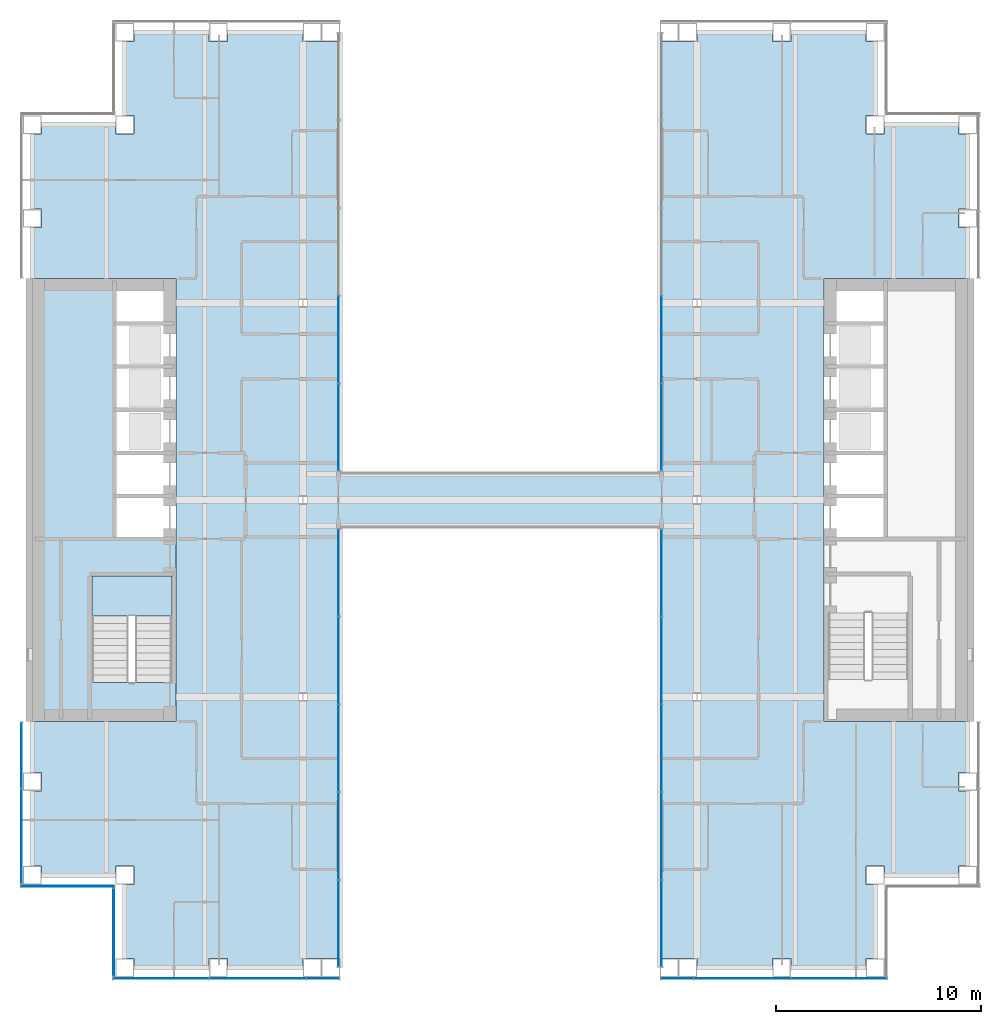
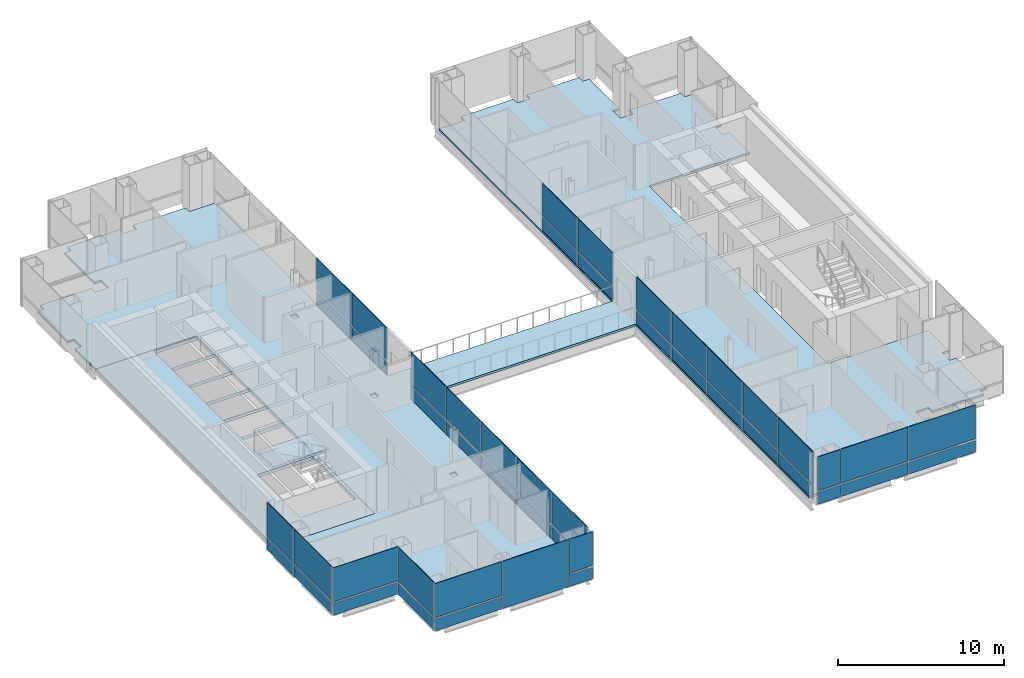
# One storey, part 9 of 16: 47 plates, 3 slabs, 10 elements without a shape of their own.
"""IFC4 building model written with IfcOpenShell, lengths in metres."""

import ifcopenshell
import ifcopenshell.guid

model = None  # the IFC model being written
_history = None  # IfcOwnerHistory: only IFC2X3 demands one
_inside = {}  # id of a spatial element -> (the spatial element, [elements in it])
_under = {}  # id of a project, library or spatial element -> (it, [spatial elements below it])
_declared = {}  # id of a project -> (the project, [libraries it declares])
_typed = {}  # id of a type object -> (the type object, [elements of that type])
_made_of = {}  # id of a material, layer set ... -> (it, [elements and type objects made of it])


def new_model(schema):
    """Start an empty IFC model of exactly this schema.

    Asked for "IFC4X3", IfcOpenShell would pick the latest addendum, in which some entities
    have other attributes; the version numbers below select the first issue.
    IFC2X3 requires an IfcOwnerHistory on every rooted entity: one is made here for all.
    """
    global model, _history
    if schema == "IFC4X3":
        model = ifcopenshell.file(schema_version=(4, 3, 0, 0))
    else:
        model = ifcopenshell.file(schema=schema)
    _inside.clear()
    _under.clear()
    _declared.clear()
    _typed.clear()
    _made_of.clear()
    _history = None
    if model.schema == "IFC2X3":
        org = make("IfcOrganization", Name="unknown")
        user = make(
            "IfcPersonAndOrganization",
            ThePerson=make("IfcPerson", FamilyName="unknown"),
            TheOrganization=org,
        )
        app = make(
            "IfcApplication",
            ApplicationDeveloper=org,
            Version="unknown",
            ApplicationFullName="unknown",
            ApplicationIdentifier="unknown",
        )
        _history = make(
            "IfcOwnerHistory",
            OwningUser=user,
            OwningApplication=app,
            ChangeAction="ADDED",
            CreationDate=0,
        )
    return model


def make(cls, **values):
    """One entity of the class cls with the attributes given. An attribute that is None is left unset."""
    return model.create_entity(
        cls, **{name: value for name, value in values.items() if value is not None}
    )


def rooted(cls, **values):
    """An entity with a GlobalId (a new one), such as an element, a storey or a relation."""
    return make(cls, GlobalId=ifcopenshell.guid.new(), OwnerHistory=_history, **values)


def si_unit(unit_type, name, prefix=None):
    """IfcSIUnit, for example si_unit("LENGTHUNIT", "METRE", prefix="MILLI")."""
    return make("IfcSIUnit", UnitType=unit_type, Prefix=prefix, Name=name)


def assignment(units):
    """IfcUnitAssignment: the units of a project."""
    return None if units is None else make("IfcUnitAssignment", Units=units)


def point(xyz):
    """IfcCartesianPoint."""
    return None if xyz is None else make("IfcCartesianPoint", Coordinates=xyz)


def direction(xyz):
    """IfcDirection."""
    return None if xyz is None else make("IfcDirection", DirectionRatios=xyz)


def frame(location, z_axis=None, x_axis=None):
    """IfcAxis2Placement3D, a coordinate frame: its origin and axes. An axis left out is left unset."""
    return make(
        "IfcAxis2Placement3D",
        Location=point(location),
        Axis=direction(z_axis),
        RefDirection=direction(x_axis),
    )


def frame_2d(location, x_axis=None):
    """IfcAxis2Placement2D, a coordinate frame in the plane: its origin and x axis."""
    return make(
        "IfcAxis2Placement2D", Location=point(location), RefDirection=direction(x_axis)
    )


def origin():
    """The frame at (0, 0, 0) with its axes left unset."""
    return frame((0.0, 0.0, 0.0))


def origin_2d():
    """The frame at (0, 0) in the plane with its x axis left unset."""
    return frame_2d((0.0, 0.0))


def place(relative_to, where):
    """IfcLocalPlacement: puts the frame where relative to a parent placement (None: the world)."""
    return make(
        "IfcLocalPlacement", PlacementRelTo=relative_to, RelativePlacement=where
    )


def context(
    kind, dimensions, precision=None, world=None, true_north=None, identifier=None
):
    """IfcGeometricRepresentationContext, for example the 3D "Model" context."""
    return make(
        "IfcGeometricRepresentationContext",
        ContextIdentifier=identifier,
        ContextType=kind,
        CoordinateSpaceDimension=dimensions,
        Precision=precision,
        WorldCoordinateSystem=world,
        TrueNorth=true_north,
    )


def subcontext(parent, identifier, kind, view, scale=None):
    """IfcGeometricRepresentationSubContext, for example "Body" below "Model"."""
    return make(
        "IfcGeometricRepresentationSubContext",
        ContextIdentifier=identifier,
        ContextType=kind,
        ParentContext=parent,
        TargetScale=scale,
        TargetView=view,
    )


def project(units=None, contexts=None):
    """IfcProject with its units and contexts."""
    return rooted(
        "IfcProject",
        Name="project",
        RepresentationContexts=contexts,
        UnitsInContext=assignment(units),
    )


def spatial(cls, under=None, at=None, **own):
    """A site, building, storey or space (cls), placed at a placement, below another one or the project."""
    s = rooted(cls, ObjectPlacement=at, **own)
    if under is not None:
        _under.setdefault(under.id(), (under, []))[1].append(s)
    return s


def polyline(points):
    """IfcPolyline through the points."""
    return make("IfcPolyline", Points=[point(p) for p in points])


def profile(cls, at=None, kind="AREA", **sizes):
    """A parametric profile (cls). Its sizes go by their IFC names, for example OverallWidth=200.0."""
    return make(cls, ProfileType=kind, Position=at, **sizes)


def rectangle(**sizes):
    """IfcRectangleProfileDef."""
    return profile("IfcRectangleProfileDef", **sizes)


def outline(outer, holes=None, kind="AREA"):
    """IfcArbitraryClosedProfileDef: a profile drawn as a closed curve; with holes, ...WithVoids."""
    if holes is None:
        return make("IfcArbitraryClosedProfileDef", ProfileType=kind, OuterCurve=outer)
    return make(
        "IfcArbitraryProfileDefWithVoids",
        ProfileType=kind,
        OuterCurve=outer,
        InnerCurves=holes,
    )


def extrude(swept, where, along, depth):
    """IfcExtrudedAreaSolid: the profile swept, set in the frame where, extruded along a direction by depth."""
    return make(
        "IfcExtrudedAreaSolid",
        SweptArea=swept,
        Position=where,
        ExtrudedDirection=direction(along),
        Depth=depth,
    )


def shape(context_of_items, identifier, shape_type, items):
    """IfcShapeRepresentation: the items that make up one representation, for example the "Body"."""
    return make(
        "IfcShapeRepresentation",
        ContextOfItems=context_of_items,
        RepresentationIdentifier=identifier,
        RepresentationType=shape_type,
        Items=items,
    )


def material(Name=None, Category=None):
    """IfcMaterial."""
    return make("IfcMaterial", Name=Name, Category=Category)


def layer(
    of_material, thickness, ventilated=None, Name=None, Category=None, Priority=None
):
    """IfcMaterialLayer: one layer of a wall or slab, of a material (None: an air gap)."""
    return make(
        "IfcMaterialLayer",
        Material=of_material,
        LayerThickness=thickness,
        IsVentilated=ventilated,
        Name=Name,
        Category=Category,
        Priority=Priority,
    )


def layer_set(layers, Name=None):
    """IfcMaterialLayerSet."""
    return make("IfcMaterialLayerSet", MaterialLayers=layers, LayerSetName=Name)


def made_of(thing, what):
    """Note that an element or type object is made of a material, layer set ...; save() writes the relation."""
    if what is not None:
        _made_of.setdefault(what.id(), (what, []))[1].append(thing)
    return thing


def type_object(cls, material=None, **own):
    """A type object (cls), such as IfcWallType, which elements share."""
    return made_of(rooted(cls, **own), material)


def element(
    cls,
    number,
    at=None,
    inside=None,
    cuts=None,
    type_object=None,
    material=None,
    context=None,
    identifier="Body",
    shape_type=None,
    held_by="IfcProductDefinitionShape",
    body=None,
    shapes=None,
    **own,
):
    """One element of the class cls, such as IfcWall. Its Tag is "e" and its number.

    at: its placement. inside: the storey or other place that contains it. cuts: it is an
    opening in that element (IfcRelVoidsElement). A single representation is given by context,
    identifier, shape_type and body (its items); several are given by shapes. held_by: the class
    of the entity that holds the representations. save() writes the other relations.
    """
    e = rooted(cls, Tag="e%d" % number, ObjectPlacement=at, **own)
    if body is not None:
        shapes = [shape(context, identifier, shape_type, body)]
    if shapes is not None:
        e.Representation = make(held_by, Representations=shapes)
    if inside is not None:
        _inside.setdefault(inside.id(), (inside, []))[1].append(e)
    if cuts is not None:
        rooted(
            "IfcRelVoidsElement", RelatingBuildingElement=cuts, RelatedOpeningElement=e
        )
    if type_object is not None:
        _typed.setdefault(type_object.id(), (type_object, []))[1].append(e)
    return made_of(e, material)


def aggregate(whole, parts):
    """IfcRelAggregates: a whole, such as a stair, and the parts it consists of."""
    return rooted("IfcRelAggregates", RelatingObject=whole, RelatedObjects=parts)


def save(model, path):
    """Write the relations noted so far, then the file.

    IfcRelAggregates (storeys below a building ...), IfcRelContainedInSpatialStructure (elements
    in a storey), IfcRelDefinesByType, IfcRelAssociatesMaterial and IfcRelDeclares: one each for
    every whole, place, type object, material and project.
    """
    for whole, parts in _under.values():
        aggregate(whole, parts)
    for where, things in _inside.values():
        rooted(
            "IfcRelContainedInSpatialStructure",
            RelatedElements=things,
            RelatingStructure=where,
        )
    for kind, things in _typed.values():
        rooted("IfcRelDefinesByType", RelatedObjects=things, RelatingType=kind)
    for what, things in _made_of.values():
        rooted("IfcRelAssociatesMaterial", RelatedObjects=things, RelatingMaterial=what)
    for by, libraries in _declared.values():
        rooted("IfcRelDeclares", RelatingContext=by, RelatedDefinitions=libraries)
    model.write(path)


model = new_model("IFC4")

# Units and contexts
model_context = context("Model", 3, precision=1e-05, world=origin(), true_north=direction((0.0, 1.0)))
body_context = subcontext(model_context, "Body", "Model", "MODEL_VIEW")
ifc_project = project(units=[si_unit("LENGTHUNIT", "METRE"), si_unit("AREAUNIT", "SQUARE_METRE"), si_unit("VOLUMEUNIT", "CUBIC_METRE"), si_unit("PLANEANGLEUNIT", "RADIAN"), si_unit("MASSUNIT", "GRAM", prefix="KILO")], contexts=[model_context])

# Site, building, storey
site_placement = place(None, origin())
site = spatial("IfcSite", under=ifc_project, at=site_placement, CompositionType="ELEMENT")
building_placement = place(site_placement, origin())
building = spatial("IfcBuilding", under=site, at=building_placement, Name="Cobrizo Arcos Hotel Tower", CompositionType="ELEMENT")
storey_placement = place(building_placement, frame((0.0, 0.0, 120.5)))
storey = spatial("IfcBuildingStorey", under=building, at=storey_placement, Name="L30", CompositionType="ELEMENT", Elevation=120.5)

# Curtain wall, plates
ifc_material_1 = material(Name="Aluminium 6063-T6 anodised bronze", Category="aluminium")
curtain_wall_type_1 = type_object("IfcCurtainWallType", Name="CW-A guest facade", PredefinedType="NOTDEFINED", material=ifc_material_1)
curtain_wall_1_placement = place(storey_placement, origin())
curtain_wall_1 = element("IfcCurtainWall", 1, at=curtain_wall_1_placement, inside=storey, type_object=curtain_wall_type_1, Name="CW-A L30 S face", PredefinedType="NOTDEFINED")
ifc_material_2 = material(Name="Glass clear laminated low-e", Category="glass")
ifc_layer_1 = layer(ifc_material_2, 0.0400390625)
ifc_layer_set_1 = layer_set([ifc_layer_1], Name="CW-A glass panel")
plate_type_1 = type_object("IfcPlateType", Name="CW-A glass panel", PredefinedType="CURTAIN_PANEL", material=ifc_layer_set_1)
plate_1_placement = place(storey_placement, frame((-16.5224609375, -23.324951171875, 0.990234375), z_axis=(0.0, 0.0, 1.0), x_axis=(1.0, 0.0, 0.0)))
plate_1 = element("IfcPlate", 2, at=plate_1_placement, type_object=plate_type_1, Name="CW-A glass panel 1135", PredefinedType="CURTAIN_PANEL", context=body_context, shape_type="SweptSolid", body=[
    extrude(rectangle(XDim=4.635009765625, YDim=0.0400390625, at=origin_2d()), origin(), (0.0, 0.0, 1.0), 2.510009765625),
])
plate_2_placement = place(storey_placement, frame((-8.639892578125, -23.324951171875, 0.990234375), z_axis=(0.0, 0.0, 1.0), x_axis=(1.0, 0.0, 0.0)))
plate_2 = element("IfcPlate", 3, at=plate_2_placement, type_object=plate_type_1, Name="CW-A glass panel 1137", PredefinedType="CURTAIN_PANEL", context=body_context, shape_type="SweptSolid", body=[
    extrude(rectangle(XDim=1.56005859375, YDim=0.0400390625, at=origin_2d()), origin(), (0.0, 0.0, 1.0), 2.510009765625),
])

curtain_wall_2_placement = place(storey_placement, origin())
curtain_wall_2 = element("IfcCurtainWall", 4, at=curtain_wall_2_placement, inside=storey, type_object=curtain_wall_type_1, Name="CW-A L30 S face", PredefinedType="NOTDEFINED")
plate_3_placement = place(storey_placement, frame((8.639892578125, -23.324951171875, 0.990234375), z_axis=(0.0, 0.0, 1.0), x_axis=(1.0, 0.0, 0.0)))
plate_3 = element("IfcPlate", 5, at=plate_3_placement, type_object=plate_type_1, Name="CW-A glass panel 1138", PredefinedType="CURTAIN_PANEL", context=body_context, shape_type="SweptSolid", body=[
    extrude(rectangle(XDim=1.56005859375, YDim=0.0400390625, at=origin_2d()), origin(), (0.0, 0.0, 1.0), 2.510009765625),
])
plate_4_placement = place(storey_placement, frame((11.8125, -23.324951171875, 0.990234375), z_axis=(0.0, 0.0, 1.0), x_axis=(1.0, 0.0, 0.0)))
plate_4 = element("IfcPlate", 6, at=plate_4_placement, type_object=plate_type_1, Name="CW-A glass panel 1139", PredefinedType="CURTAIN_PANEL", context=body_context, shape_type="SweptSolid", body=[
    extrude(rectangle(XDim=4.6650390625, YDim=0.0400390625, at=origin_2d()), origin(), (0.0, 0.0, 1.0), 2.510009765625),
])
plate_5_placement = place(storey_placement, frame((16.5224609375, -23.324951171875, 0.990234375), z_axis=(0.0, 0.0, 1.0), x_axis=(1.0, 0.0, 0.0)))
plate_5 = element("IfcPlate", 7, at=plate_5_placement, type_object=plate_type_1, Name="CW-A glass panel 1140", PredefinedType="CURTAIN_PANEL", context=body_context, shape_type="SweptSolid", body=[
    extrude(rectangle(XDim=4.635009765625, YDim=0.0400390625, at=origin_2d()), origin(), (0.0, 0.0, 1.0), 2.510009765625),
])

curtain_wall_3_placement = place(storey_placement, origin())
curtain_wall_3 = element("IfcCurtainWall", 8, at=curtain_wall_3_placement, inside=storey, type_object=curtain_wall_type_1, Name="CW-A L30 W face", PredefinedType="NOTDEFINED")
plate_6_placement = place(storey_placement, frame((-23.324951171875, -12.4462890625, 0.990234375), z_axis=(0.0, 0.0, 1.0), x_axis=(0.0, -1.0, 0.0)))
plate_6 = element("IfcPlate", 9, at=plate_6_placement, type_object=plate_type_1, Name="CW-A glass panel 1159", PredefinedType="CURTAIN_PANEL", context=body_context, shape_type="SweptSolid", body=[
    extrude(rectangle(XDim=3.172607421875, YDim=0.0400390625, at=origin_2d()), origin(), (0.0, 0.0, 1.0), 2.510009765625),
])
plate_7_placement = place(storey_placement, frame((-23.324951171875, -16.391357421875, 0.990234375), z_axis=(0.0, 0.0, 1.0), x_axis=(0.0, -1.0, 0.0)))
plate_7 = element("IfcPlate", 10, at=plate_7_placement, type_object=plate_type_1, Name="CW-A glass panel 1160", PredefinedType="CURTAIN_PANEL", context=body_context, shape_type="SweptSolid", body=[
    extrude(rectangle(XDim=4.597412109375, YDim=0.0400390625, at=origin_2d()), origin(), (0.0, 0.0, 1.0), 2.510009765625),
])

# Curtain wall, plate
curtain_wall_4_placement = place(storey_placement, origin())
curtain_wall_4 = element("IfcCurtainWall", 11, at=curtain_wall_4_placement, inside=storey, type_object=curtain_wall_type_1, Name="CW-A L30 S face", PredefinedType="NOTDEFINED")
plate_8_placement = place(storey_placement, frame((-21.074951171875, -18.824951171875, 0.990234375), z_axis=(0.0, 0.0, 1.0), x_axis=(1.0, 0.0, 0.0)))
plate_8 = element("IfcPlate", 12, at=plate_8_placement, type_object=plate_type_1, Name="CW-A glass panel 1161", PredefinedType="CURTAIN_PANEL", context=body_context, shape_type="SweptSolid", body=[
    extrude(rectangle(XDim=4.530029296875, YDim=0.0400390625, at=origin_2d()), origin(), (0.0, 0.0, 1.0), 2.510009765625),
])

curtain_wall_5_placement = place(storey_placement, origin())
curtain_wall_5 = element("IfcCurtainWall", 13, at=curtain_wall_5_placement, inside=storey, type_object=curtain_wall_type_1, Name="CW-A L30 W face", PredefinedType="NOTDEFINED")
plate_9_placement = place(storey_placement, frame((-18.824951171875, -21.074951171875, 0.990234375), z_axis=(0.0, 0.0, 1.0), x_axis=(0.0, -1.0, 0.0)))
plate_9 = element("IfcPlate", 14, at=plate_9_placement, type_object=plate_type_1, Name="CW-A glass panel 1162", PredefinedType="CURTAIN_PANEL", context=body_context, shape_type="SweptSolid", body=[
    extrude(rectangle(XDim=4.22998046875, YDim=0.0400390625, at=origin_2d()), origin(), (0.0, 0.0, 1.0), 2.510009765625),
])

# Plate
ifc_material_3 = material(Name="Aluminium composite panel pale metal", Category="aluminium")
ifc_layer_2 = layer(ifc_material_3, 0.0400390625)
ifc_layer_set_2 = layer_set([ifc_layer_2], Name="CW-A spandrel panel")
plate_type_2 = type_object("IfcPlateType", Name="CW-A spandrel panel", PredefinedType="CURTAIN_PANEL", material=ifc_layer_set_2)
plate_10_placement = place(storey_placement, frame((-16.5224609375, -23.324951171875, 0.0), z_axis=(0.0, 0.0, 1.0), x_axis=(1.0, 0.0, 0.0)))
plate_10 = element("IfcPlate", 15, at=plate_10_placement, type_object=plate_type_2, Name="CW-A spandrel panel 1135", PredefinedType="CURTAIN_PANEL", context=body_context, shape_type="SweptSolid", body=[
    extrude(rectangle(XDim=4.635009765625, YDim=0.0400390625, at=origin_2d()), origin(), (0.0, 0.0, 1.0), 0.8701171875),
])

plate_11_placement = place(storey_placement, frame((-11.8125, -23.324951171875, 0.0), z_axis=(0.0, 0.0, 1.0), x_axis=(1.0, 0.0, 0.0)))
plate_11 = element("IfcPlate", 16, at=plate_11_placement, type_object=plate_type_2, Name="CW-A spandrel panel 1136", PredefinedType="CURTAIN_PANEL", context=body_context, shape_type="SweptSolid", body=[
    extrude(rectangle(XDim=4.6650390625, YDim=0.0400390625, at=origin_2d()), origin(), (0.0, 0.0, 1.0), 3.5),
])

plate_12_placement = place(storey_placement, frame((-8.639892578125, -23.324951171875, 0.0), z_axis=(0.0, 0.0, 1.0), x_axis=(1.0, 0.0, 0.0)))
plate_12 = element("IfcPlate", 17, at=plate_12_placement, type_object=plate_type_2, Name="CW-A spandrel panel 1137", PredefinedType="CURTAIN_PANEL", context=body_context, shape_type="SweptSolid", body=[
    extrude(rectangle(XDim=1.56005859375, YDim=0.0400390625, at=origin_2d()), origin(), (0.0, 0.0, 1.0), 0.8701171875),
])

aggregate(curtain_wall_1, [plate_10, plate_1, plate_11, plate_12, plate_2])

plate_13_placement = place(storey_placement, frame((8.639892578125, -23.324951171875, 0.0), z_axis=(0.0, 0.0, 1.0), x_axis=(1.0, 0.0, 0.0)))
plate_13 = element("IfcPlate", 18, at=plate_13_placement, type_object=plate_type_2, Name="CW-A spandrel panel 1138", PredefinedType="CURTAIN_PANEL", context=body_context, shape_type="SweptSolid", body=[
    extrude(rectangle(XDim=1.56005859375, YDim=0.0400390625, at=origin_2d()), origin(), (0.0, 0.0, 1.0), 0.8701171875),
])

plate_14_placement = place(storey_placement, frame((11.8125, -23.324951171875, 0.0), z_axis=(0.0, 0.0, 1.0), x_axis=(1.0, 0.0, 0.0)))
plate_14 = element("IfcPlate", 19, at=plate_14_placement, type_object=plate_type_2, Name="CW-A spandrel panel 1139", PredefinedType="CURTAIN_PANEL", context=body_context, shape_type="SweptSolid", body=[
    extrude(rectangle(XDim=4.6650390625, YDim=0.0400390625, at=origin_2d()), origin(), (0.0, 0.0, 1.0), 0.8701171875),
])

plate_15_placement = place(storey_placement, frame((16.5224609375, -23.324951171875, 0.0), z_axis=(0.0, 0.0, 1.0), x_axis=(1.0, 0.0, 0.0)))
plate_15 = element("IfcPlate", 20, at=plate_15_placement, type_object=plate_type_2, Name="CW-A spandrel panel 1140", PredefinedType="CURTAIN_PANEL", context=body_context, shape_type="SweptSolid", body=[
    extrude(rectangle(XDim=4.635009765625, YDim=0.0400390625, at=origin_2d()), origin(), (0.0, 0.0, 1.0), 0.8701171875),
])

aggregate(curtain_wall_2, [plate_13, plate_3, plate_14, plate_4, plate_15, plate_5])

plate_16_placement = place(storey_placement, frame((-23.324951171875, -12.4462890625, 0.0), z_axis=(0.0, 0.0, 1.0), x_axis=(0.0, -1.0, 0.0)))
plate_16 = element("IfcPlate", 21, at=plate_16_placement, type_object=plate_type_2, Name="CW-A spandrel panel 1159", PredefinedType="CURTAIN_PANEL", context=body_context, shape_type="SweptSolid", body=[
    extrude(rectangle(XDim=3.172607421875, YDim=0.0400390625, at=origin_2d()), origin(), (0.0, 0.0, 1.0), 0.8701171875),
])

plate_17_placement = place(storey_placement, frame((-23.324951171875, -16.391357421875, 0.0), z_axis=(0.0, 0.0, 1.0), x_axis=(0.0, -1.0, 0.0)))
plate_17 = element("IfcPlate", 22, at=plate_17_placement, type_object=plate_type_2, Name="CW-A spandrel panel 1160", PredefinedType="CURTAIN_PANEL", context=body_context, shape_type="SweptSolid", body=[
    extrude(rectangle(XDim=4.597412109375, YDim=0.0400390625, at=origin_2d()), origin(), (0.0, 0.0, 1.0), 0.8701171875),
])

aggregate(curtain_wall_3, [plate_16, plate_6, plate_17, plate_7])

plate_18_placement = place(storey_placement, frame((-21.074951171875, -18.824951171875, 0.0), z_axis=(0.0, 0.0, 1.0), x_axis=(1.0, 0.0, 0.0)))
plate_18 = element("IfcPlate", 23, at=plate_18_placement, type_object=plate_type_2, Name="CW-A spandrel panel 1161", PredefinedType="CURTAIN_PANEL", context=body_context, shape_type="SweptSolid", body=[
    extrude(rectangle(XDim=4.530029296875, YDim=0.0400390625, at=origin_2d()), origin(), (0.0, 0.0, 1.0), 0.8701171875),
])

aggregate(curtain_wall_4, [plate_18, plate_8])

plate_19_placement = place(storey_placement, frame((-18.824951171875, -21.074951171875, 0.0), z_axis=(0.0, 0.0, 1.0), x_axis=(0.0, -1.0, 0.0)))
plate_19 = element("IfcPlate", 24, at=plate_19_placement, type_object=plate_type_2, Name="CW-A spandrel panel 1162", PredefinedType="CURTAIN_PANEL", context=body_context, shape_type="SweptSolid", body=[
    extrude(rectangle(XDim=4.22998046875, YDim=0.0400390625, at=origin_2d()), origin(), (0.0, 0.0, 1.0), 0.8701171875),
])

aggregate(curtain_wall_5, [plate_19, plate_9])

# Curtain wall, plates
curtain_wall_type_2 = type_object("IfcCurtainWallType", Name="CW-F void screen", PredefinedType="NOTDEFINED", material=ifc_material_1)
curtain_wall_6_placement = place(storey_placement, origin())
curtain_wall_6 = element("IfcCurtainWall", 25, at=curtain_wall_6_placement, inside=storey, type_object=curtain_wall_type_2, Name="CW-F L30 void screen B", PredefinedType="NOTDEFINED")
ifc_layer_3 = layer(ifc_material_2, 0.0400390625)
ifc_layer_set_3 = layer_set([ifc_layer_3], Name="CW-F glass panel")
plate_type_3 = type_object("IfcPlateType", Name="CW-F glass panel", PredefinedType="CURTAIN_PANEL", material=ifc_layer_set_3)
plate_20_placement = place(storey_placement, frame((7.875, -20.64501953125, 0.0), z_axis=(0.0, 0.0, 1.0), x_axis=(0.0, 1.0, 0.0)))
plate_20 = element("IfcPlate", 26, at=plate_20_placement, type_object=plate_type_3, Name="CW-F glass panel 2586", PredefinedType="CURTAIN_PANEL", context=body_context, shape_type="SweptSolid", body=[
    extrude(rectangle(XDim=4.18994140625, YDim=0.0400390625, at=origin_2d()), origin(), (0.0, 0.0, 1.0), 0.989990234375),
])
plate_21_placement = place(storey_placement, frame((7.875, -20.64501953125, 1.10986328125), z_axis=(0.0, 0.0, 1.0), x_axis=(0.0, 1.0, 0.0)))
plate_21 = element("IfcPlate", 27, at=plate_21_placement, type_object=plate_type_3, Name="CW-F glass panel 2586", PredefinedType="CURTAIN_PANEL", context=body_context, shape_type="SweptSolid", body=[
    extrude(rectangle(XDim=4.18994140625, YDim=0.0400390625, at=origin_2d()), origin(), (0.0, 0.0, 1.0), 2.389892578125),
])
plate_22_placement = place(storey_placement, frame((7.875, -16.3798828125, 0.0), z_axis=(0.0, 0.0, 1.0), x_axis=(0.0, 1.0, 0.0)))
plate_22 = element("IfcPlate", 28, at=plate_22_placement, type_object=plate_type_3, Name="CW-F glass panel 2587", PredefinedType="CURTAIN_PANEL", context=body_context, shape_type="SweptSolid", body=[
    extrude(rectangle(XDim=4.219970703125, YDim=0.0400390625, at=origin_2d()), origin(), (0.0, 0.0, 1.0), 0.989990234375),
])
plate_23_placement = place(storey_placement, frame((7.875, -16.3798828125, 1.10986328125), z_axis=(0.0, 0.0, 1.0), x_axis=(0.0, 1.0, 0.0)))
plate_23 = element("IfcPlate", 29, at=plate_23_placement, type_object=plate_type_3, Name="CW-F glass panel 2587", PredefinedType="CURTAIN_PANEL", context=body_context, shape_type="SweptSolid", body=[
    extrude(rectangle(XDim=4.219970703125, YDim=0.0400390625, at=origin_2d()), origin(), (0.0, 0.0, 1.0), 2.389892578125),
])
plate_24_placement = place(storey_placement, frame((7.875, -12.10009765625, 0.0), z_axis=(0.0, 0.0, 1.0), x_axis=(0.0, 1.0, 0.0)))
plate_24 = element("IfcPlate", 30, at=plate_24_placement, type_object=plate_type_3, Name="CW-F glass panel 2588", PredefinedType="CURTAIN_PANEL", context=body_context, shape_type="SweptSolid", body=[
    extrude(rectangle(XDim=4.219970703125, YDim=0.0400390625, at=origin_2d()), origin(), (0.0, 0.0, 1.0), 0.989990234375),
])
plate_25_placement = place(storey_placement, frame((7.875, -12.10009765625, 1.10986328125), z_axis=(0.0, 0.0, 1.0), x_axis=(0.0, 1.0, 0.0)))
plate_25 = element("IfcPlate", 31, at=plate_25_placement, type_object=plate_type_3, Name="CW-F glass panel 2588", PredefinedType="CURTAIN_PANEL", context=body_context, shape_type="SweptSolid", body=[
    extrude(rectangle(XDim=4.219970703125, YDim=0.0400390625, at=origin_2d()), origin(), (0.0, 0.0, 1.0), 2.389892578125),
])
plate_26_placement = place(storey_placement, frame((7.875, -7.820068359375, 0.0), z_axis=(0.0, 0.0, 1.0), x_axis=(0.0, 1.0, 0.0)))
plate_26 = element("IfcPlate", 32, at=plate_26_placement, type_object=plate_type_3, Name="CW-F glass panel 2589", PredefinedType="CURTAIN_PANEL", context=body_context, shape_type="SweptSolid", body=[
    extrude(rectangle(XDim=4.219970703125, YDim=0.0400390625, at=origin_2d()), origin(), (0.0, 0.0, 1.0), 0.989990234375),
])
plate_27_placement = place(storey_placement, frame((7.875, -7.820068359375, 1.10986328125), z_axis=(0.0, 0.0, 1.0), x_axis=(0.0, 1.0, 0.0)))
plate_27 = element("IfcPlate", 33, at=plate_27_placement, type_object=plate_type_3, Name="CW-F glass panel 2589", PredefinedType="CURTAIN_PANEL", context=body_context, shape_type="SweptSolid", body=[
    extrude(rectangle(XDim=4.219970703125, YDim=0.0400390625, at=origin_2d()), origin(), (0.0, 0.0, 1.0), 2.389892578125),
])
plate_28_placement = place(storey_placement, frame((7.875, -3.554931640625, 0.0), z_axis=(0.0, 0.0, 1.0), x_axis=(0.0, 1.0, 0.0)))
plate_28 = element("IfcPlate", 34, at=plate_28_placement, type_object=plate_type_3, Name="CW-F glass panel 2590", PredefinedType="CURTAIN_PANEL", context=body_context, shape_type="SweptSolid", body=[
    extrude(rectangle(XDim=4.18994140625, YDim=0.0400390625, at=origin_2d()), origin(), (0.0, 0.0, 1.0), 0.989990234375),
])
plate_29_placement = place(storey_placement, frame((7.875, -3.554931640625, 1.10986328125), z_axis=(0.0, 0.0, 1.0), x_axis=(0.0, 1.0, 0.0)))
plate_29 = element("IfcPlate", 35, at=plate_29_placement, type_object=plate_type_3, Name="CW-F glass panel 2590", PredefinedType="CURTAIN_PANEL", context=body_context, shape_type="SweptSolid", body=[
    extrude(rectangle(XDim=4.18994140625, YDim=0.0400390625, at=origin_2d()), origin(), (0.0, 0.0, 1.0), 2.389892578125),
])
aggregate(curtain_wall_6, [plate_20, plate_21, plate_22, plate_23, plate_24, plate_25, plate_26, plate_27, plate_28, plate_29])

curtain_wall_7_placement = place(storey_placement, origin())
curtain_wall_7 = element("IfcCurtainWall", 36, at=curtain_wall_7_placement, inside=storey, type_object=curtain_wall_type_2, Name="CW-F L30 void screen B", PredefinedType="NOTDEFINED")
plate_30_placement = place(storey_placement, frame((7.875, 3.554931640625, 0.0), z_axis=(0.0, 0.0, 1.0), x_axis=(0.0, 1.0, 0.0)))
plate_30 = element("IfcPlate", 37, at=plate_30_placement, type_object=plate_type_3, Name="CW-F glass panel 2591", PredefinedType="CURTAIN_PANEL", context=body_context, shape_type="SweptSolid", body=[
    extrude(rectangle(XDim=4.18994140625, YDim=0.0400390625, at=origin_2d()), origin(), (0.0, 0.0, 1.0), 0.989990234375),
])
plate_31_placement = place(storey_placement, frame((7.875, 3.554931640625, 1.10986328125), z_axis=(0.0, 0.0, 1.0), x_axis=(0.0, 1.0, 0.0)))
plate_31 = element("IfcPlate", 38, at=plate_31_placement, type_object=plate_type_3, Name="CW-F glass panel 2591", PredefinedType="CURTAIN_PANEL", context=body_context, shape_type="SweptSolid", body=[
    extrude(rectangle(XDim=4.18994140625, YDim=0.0400390625, at=origin_2d()), origin(), (0.0, 0.0, 1.0), 2.389892578125),
])
plate_32_placement = place(storey_placement, frame((7.875, 7.820068359375, 0.0), z_axis=(0.0, 0.0, 1.0), x_axis=(0.0, 1.0, 0.0)))
plate_32 = element("IfcPlate", 39, at=plate_32_placement, type_object=plate_type_3, Name="CW-F glass panel 2592", PredefinedType="CURTAIN_PANEL", context=body_context, shape_type="SweptSolid", body=[
    extrude(rectangle(XDim=4.219970703125, YDim=0.0400390625, at=origin_2d()), origin(), (0.0, 0.0, 1.0), 0.989990234375),
])
plate_33_placement = place(storey_placement, frame((7.875, 7.820068359375, 1.10986328125), z_axis=(0.0, 0.0, 1.0), x_axis=(0.0, 1.0, 0.0)))
plate_33 = element("IfcPlate", 40, at=plate_33_placement, type_object=plate_type_3, Name="CW-F glass panel 2592", PredefinedType="CURTAIN_PANEL", context=body_context, shape_type="SweptSolid", body=[
    extrude(rectangle(XDim=4.219970703125, YDim=0.0400390625, at=origin_2d()), origin(), (0.0, 0.0, 1.0), 2.389892578125),
])
aggregate(curtain_wall_7, [plate_30, plate_31, plate_32, plate_33])

curtain_wall_8_placement = place(storey_placement, origin())
curtain_wall_8 = element("IfcCurtainWall", 41, at=curtain_wall_8_placement, inside=storey, type_object=curtain_wall_type_2, Name="CW-F L30 void screen B", PredefinedType="NOTDEFINED")
plate_34_placement = place(storey_placement, frame((-7.875, 7.820068359375, 0.0), z_axis=(0.0, 0.0, 1.0), x_axis=(0.0, -1.0, 0.0)))
plate_34 = element("IfcPlate", 42, at=plate_34_placement, type_object=plate_type_3, Name="CW-F glass panel 2599", PredefinedType="CURTAIN_PANEL", context=body_context, shape_type="SweptSolid", body=[
    extrude(rectangle(XDim=4.219970703125, YDim=0.0400390625, at=origin_2d()), origin(), (0.0, 0.0, 1.0), 0.989990234375),
])
plate_35_placement = place(storey_placement, frame((-7.875, 7.820068359375, 1.10986328125), z_axis=(0.0, 0.0, 1.0), x_axis=(0.0, -1.0, 0.0)))
plate_35 = element("IfcPlate", 43, at=plate_35_placement, type_object=plate_type_3, Name="CW-F glass panel 2599", PredefinedType="CURTAIN_PANEL", context=body_context, shape_type="SweptSolid", body=[
    extrude(rectangle(XDim=4.219970703125, YDim=0.0400390625, at=origin_2d()), origin(), (0.0, 0.0, 1.0), 2.389892578125),
])
plate_36_placement = place(storey_placement, frame((-7.875, 3.554931640625, 0.0), z_axis=(0.0, 0.0, 1.0), x_axis=(0.0, -1.0, 0.0)))
plate_36 = element("IfcPlate", 44, at=plate_36_placement, type_object=plate_type_3, Name="CW-F glass panel 2600", PredefinedType="CURTAIN_PANEL", context=body_context, shape_type="SweptSolid", body=[
    extrude(rectangle(XDim=4.18994140625, YDim=0.0400390625, at=origin_2d()), origin(), (0.0, 0.0, 1.0), 0.989990234375),
])
plate_37_placement = place(storey_placement, frame((-7.875, 3.554931640625, 1.10986328125), z_axis=(0.0, 0.0, 1.0), x_axis=(0.0, -1.0, 0.0)))
plate_37 = element("IfcPlate", 45, at=plate_37_placement, type_object=plate_type_3, Name="CW-F glass panel 2600", PredefinedType="CURTAIN_PANEL", context=body_context, shape_type="SweptSolid", body=[
    extrude(rectangle(XDim=4.18994140625, YDim=0.0400390625, at=origin_2d()), origin(), (0.0, 0.0, 1.0), 2.389892578125),
])
aggregate(curtain_wall_8, [plate_34, plate_35, plate_36, plate_37])

curtain_wall_9_placement = place(storey_placement, origin())
curtain_wall_9 = element("IfcCurtainWall", 46, at=curtain_wall_9_placement, inside=storey, type_object=curtain_wall_type_2, Name="CW-F L30 void screen B", PredefinedType="NOTDEFINED")
plate_38_placement = place(storey_placement, frame((-7.875, -3.554931640625, 0.0), z_axis=(0.0, 0.0, 1.0), x_axis=(0.0, -1.0, 0.0)))
plate_38 = element("IfcPlate", 47, at=plate_38_placement, type_object=plate_type_3, Name="CW-F glass panel 2601", PredefinedType="CURTAIN_PANEL", context=body_context, shape_type="SweptSolid", body=[
    extrude(rectangle(XDim=4.18994140625, YDim=0.0400390625, at=origin_2d()), origin(), (0.0, 0.0, 1.0), 0.989990234375),
])
plate_39_placement = place(storey_placement, frame((-7.875, -3.554931640625, 1.10986328125), z_axis=(0.0, 0.0, 1.0), x_axis=(0.0, -1.0, 0.0)))
plate_39 = element("IfcPlate", 48, at=plate_39_placement, type_object=plate_type_3, Name="CW-F glass panel 2601", PredefinedType="CURTAIN_PANEL", context=body_context, shape_type="SweptSolid", body=[
    extrude(rectangle(XDim=4.18994140625, YDim=0.0400390625, at=origin_2d()), origin(), (0.0, 0.0, 1.0), 2.389892578125),
])
plate_40_placement = place(storey_placement, frame((-7.875, -7.820068359375, 0.0), z_axis=(0.0, 0.0, 1.0), x_axis=(0.0, -1.0, 0.0)))
plate_40 = element("IfcPlate", 49, at=plate_40_placement, type_object=plate_type_3, Name="CW-F glass panel 2602", PredefinedType="CURTAIN_PANEL", context=body_context, shape_type="SweptSolid", body=[
    extrude(rectangle(XDim=4.219970703125, YDim=0.0400390625, at=origin_2d()), origin(), (0.0, 0.0, 1.0), 0.989990234375),
])
plate_41_placement = place(storey_placement, frame((-7.875, -7.820068359375, 1.10986328125), z_axis=(0.0, 0.0, 1.0), x_axis=(0.0, -1.0, 0.0)))
plate_41 = element("IfcPlate", 50, at=plate_41_placement, type_object=plate_type_3, Name="CW-F glass panel 2602", PredefinedType="CURTAIN_PANEL", context=body_context, shape_type="SweptSolid", body=[
    extrude(rectangle(XDim=4.219970703125, YDim=0.0400390625, at=origin_2d()), origin(), (0.0, 0.0, 1.0), 2.389892578125),
])
plate_42_placement = place(storey_placement, frame((-7.875, -12.10009765625, 0.0), z_axis=(0.0, 0.0, 1.0), x_axis=(0.0, -1.0, 0.0)))
plate_42 = element("IfcPlate", 51, at=plate_42_placement, type_object=plate_type_3, Name="CW-F glass panel 2603", PredefinedType="CURTAIN_PANEL", context=body_context, shape_type="SweptSolid", body=[
    extrude(rectangle(XDim=4.219970703125, YDim=0.0400390625, at=origin_2d()), origin(), (0.0, 0.0, 1.0), 0.989990234375),
])
plate_43_placement = place(storey_placement, frame((-7.875, -12.10009765625, 1.10986328125), z_axis=(0.0, 0.0, 1.0), x_axis=(0.0, -1.0, 0.0)))
plate_43 = element("IfcPlate", 52, at=plate_43_placement, type_object=plate_type_3, Name="CW-F glass panel 2603", PredefinedType="CURTAIN_PANEL", context=body_context, shape_type="SweptSolid", body=[
    extrude(rectangle(XDim=4.219970703125, YDim=0.0400390625, at=origin_2d()), origin(), (0.0, 0.0, 1.0), 2.389892578125),
])
plate_44_placement = place(storey_placement, frame((-7.875, -16.3798828125, 0.0), z_axis=(0.0, 0.0, 1.0), x_axis=(0.0, -1.0, 0.0)))
plate_44 = element("IfcPlate", 53, at=plate_44_placement, type_object=plate_type_3, Name="CW-F glass panel 2604", PredefinedType="CURTAIN_PANEL", context=body_context, shape_type="SweptSolid", body=[
    extrude(rectangle(XDim=4.219970703125, YDim=0.0400390625, at=origin_2d()), origin(), (0.0, 0.0, 1.0), 0.989990234375),
])
plate_45_placement = place(storey_placement, frame((-7.875, -16.3798828125, 1.10986328125), z_axis=(0.0, 0.0, 1.0), x_axis=(0.0, -1.0, 0.0)))
plate_45 = element("IfcPlate", 54, at=plate_45_placement, type_object=plate_type_3, Name="CW-F glass panel 2604", PredefinedType="CURTAIN_PANEL", context=body_context, shape_type="SweptSolid", body=[
    extrude(rectangle(XDim=4.219970703125, YDim=0.0400390625, at=origin_2d()), origin(), (0.0, 0.0, 1.0), 2.389892578125),
])
plate_46_placement = place(storey_placement, frame((-7.875, -20.64501953125, 0.0), z_axis=(0.0, 0.0, 1.0), x_axis=(0.0, -1.0, 0.0)))
plate_46 = element("IfcPlate", 55, at=plate_46_placement, type_object=plate_type_3, Name="CW-F glass panel 2605", PredefinedType="CURTAIN_PANEL", context=body_context, shape_type="SweptSolid", body=[
    extrude(rectangle(XDim=4.18994140625, YDim=0.0400390625, at=origin_2d()), origin(), (0.0, 0.0, 1.0), 0.989990234375),
])
plate_47_placement = place(storey_placement, frame((-7.875, -20.64501953125, 1.10986328125), z_axis=(0.0, 0.0, 1.0), x_axis=(0.0, -1.0, 0.0)))
plate_47 = element("IfcPlate", 56, at=plate_47_placement, type_object=plate_type_3, Name="CW-F glass panel 2605", PredefinedType="CURTAIN_PANEL", context=body_context, shape_type="SweptSolid", body=[
    extrude(rectangle(XDim=4.18994140625, YDim=0.0400390625, at=origin_2d()), origin(), (0.0, 0.0, 1.0), 2.389892578125),
])
aggregate(curtain_wall_9, [plate_38, plate_39, plate_40, plate_41, plate_42, plate_43, plate_44, plate_45, plate_46, plate_47])

# Slabs
ifc_material_4 = material(Name="Concrete f'c 35 MPa", Category="concrete")
ifc_layer_4 = layer(ifc_material_4, 0.14990234375)
ifc_layer_set_4 = layer_set([ifc_layer_4], Name="Composite floor slab 150 f'c 35")
slab_type_1 = type_object("IfcSlabType", Name="Composite floor slab 150 f'c 35", PredefinedType="FLOOR", material=ifc_layer_set_4)
slab_1_placement = place(storey_placement, frame((0.0, 0.0, -0.14990234375)))
element("IfcSlab", 57, at=slab_1_placement, inside=storey, type_object=slab_type_1, Name="Floor slab S5, L30, no. 01", PredefinedType="FLOOR", context=body_context, shape_type="SweptSolid", body=[
    extrude(outline(polyline([(22.35009765625, 18.300048828125), (22.35009765625, 17.85009765625), (22.800048828125, 17.85009765625), (22.800048828125, 14.175048828125), (22.35009765625, 14.175048828125), (22.35009765625, 13.27490234375), (22.800048828125, 13.27490234375), (22.800048828125, 10.800048828125), (15.800048828125, 10.800048828125), (15.800048828125, -10.800048828125), (22.800048828125, -10.800048828125), (22.800048828125, -13.27490234375), (22.35009765625, -13.27490234375), (22.35009765625, -14.175048828125), (22.800048828125, -14.175048828125), (22.800048828125, -17.85009765625), (22.35009765625, -17.85009765625), (22.35009765625, -18.300048828125), (18.75, -18.300048828125), (18.75, -17.85009765625), (17.85009765625, -17.85009765625), (17.85009765625, -18.75), (18.300048828125, -18.75), (18.300048828125, -22.35009765625), (17.85009765625, -22.35009765625), (17.85009765625, -22.800048828125), (14.175048828125, -22.800048828125), (14.175048828125, -22.35009765625), (13.27490234375, -22.35009765625), (13.27490234375, -22.800048828125), (9.60009765625, -22.800048828125), (9.60009765625, -22.35009765625), (8.699951171875, -22.35009765625), (7.800048828125, -22.35009765625), (7.800048828125, -22.800048828125), (7.800048828125, -22.800048828125), (7.800048828125, -1.39990234375), (-7.800048828125, -1.39990234375), (-7.800048828125, -22.800048828125), (-7.800048828125, -22.800048828125), (-7.800048828125, -22.35009765625), (-8.699951171875, -22.35009765625), (-9.60009765625, -22.35009765625), (-9.60009765625, -22.800048828125), (-13.27490234375, -22.800048828125), (-13.27490234375, -22.35009765625), (-14.175048828125, -22.35009765625), (-14.175048828125, -22.800048828125), (-17.85009765625, -22.800048828125), (-17.85009765625, -22.35009765625), (-18.300048828125, -22.35009765625), (-18.300048828125, -18.75), (-17.85009765625, -18.75), (-17.85009765625, -17.85009765625), (-18.75, -17.85009765625), (-18.75, -18.300048828125), (-22.35009765625, -18.300048828125), (-22.35009765625, -17.85009765625), (-22.800048828125, -17.85009765625), (-22.800048828125, -14.175048828125), (-22.35009765625, -14.175048828125), (-22.35009765625, -13.27490234375), (-22.800048828125, -13.27490234375), (-22.800048828125, -10.800048828125), (-15.800048828125, -10.800048828125), (-15.800048828125, 10.800048828125), (-22.800048828125, 10.800048828125), (-22.800048828125, 13.27490234375), (-22.35009765625, 13.27490234375), (-22.35009765625, 14.175048828125), (-22.800048828125, 14.175048828125), (-22.800048828125, 17.85009765625), (-22.35009765625, 17.85009765625), (-22.35009765625, 18.300048828125), (-18.75, 18.300048828125), (-18.75, 17.85009765625), (-17.85009765625, 17.85009765625), (-17.85009765625, 18.75), (-18.300048828125, 18.75), (-18.300048828125, 22.35009765625), (-17.85009765625, 22.35009765625), (-17.85009765625, 22.800048828125), (-14.175048828125, 22.800048828125), (-14.175048828125, 22.35009765625), (-13.27490234375, 22.35009765625), (-13.27490234375, 22.800048828125), (-9.60009765625, 22.800048828125), (-9.60009765625, 22.35009765625), (-8.699951171875, 22.35009765625), (-7.800048828125, 22.35009765625), (-7.800048828125, 22.800048828125), (-7.800048828125, 22.800048828125), (-7.800048828125, 1.39990234375), (7.800048828125, 1.39990234375), (7.800048828125, 22.800048828125), (7.800048828125, 22.800048828125), (7.800048828125, 22.35009765625), (8.699951171875, 22.35009765625), (9.60009765625, 22.35009765625), (9.60009765625, 22.800048828125), (13.27490234375, 22.800048828125), (13.27490234375, 22.35009765625), (14.175048828125, 22.35009765625), (14.175048828125, 22.800048828125), (17.85009765625, 22.800048828125), (17.85009765625, 22.35009765625), (18.300048828125, 22.35009765625), (18.300048828125, 18.75), (17.85009765625, 18.75), (17.85009765625, 17.85009765625), (18.75, 17.85009765625), (18.75, 18.300048828125), (22.35009765625, 18.300048828125)]), holes=[polyline([(-9.79931640625, -9.79931640625), (-9.400634765625, -9.79931640625), (-9.400634765625, -9.400634765625), (-9.79931640625, -9.400634765625), (-9.79931640625, -9.79931640625)]), polyline([(-9.400634765625, -0.199462890625), (-9.400634765625, 0.199462890625), (-9.79931640625, 0.199462890625), (-9.79931640625, -0.199462890625), (-9.400634765625, -0.199462890625)]), polyline([(-9.400634765625, 9.400634765625), (-9.400634765625, 9.79931640625), (-9.79931640625, 9.79931640625), (-9.79931640625, 9.400634765625), (-9.400634765625, 9.400634765625)]), polyline([(9.400634765625, -9.79931640625), (9.79931640625, -9.79931640625), (9.79931640625, -9.400634765625), (9.400634765625, -9.400634765625), (9.400634765625, -9.79931640625)]), polyline([(9.400634765625, -0.199462890625), (9.79931640625, -0.199462890625), (9.79931640625, 0.199462890625), (9.400634765625, 0.199462890625), (9.400634765625, -0.199462890625)]), polyline([(9.79931640625, 9.400634765625), (9.79931640625, 9.79931640625), (9.400634765625, 9.79931640625), (9.400634765625, 9.400634765625), (9.79931640625, 9.400634765625)])]), origin(), (0.0, 0.0, 1.0), 0.14990234375),
])
ifc_material_5 = material(Name="Concrete f'c 50 MPa", Category="concrete")
ifc_layer_5 = layer(ifc_material_5, 0.25)
ifc_layer_set_5 = layer_set([ifc_layer_5], Name="RC core floor slab 250 f'c 50")
slab_type_2 = type_object("IfcSlabType", Name="RC core floor slab 250 f'c 50", PredefinedType="FLOOR", material=ifc_layer_set_5)
slab_2_placement = place(storey_placement, frame((0.0, 0.0, -0.25)))
element("IfcSlab", 58, at=slab_2_placement, inside=storey, type_object=slab_type_2, Name="Core floor slab CS5, west core, L30", PredefinedType="FLOOR", context=body_context, shape_type="SweptSolid", body=[
    extrude(outline(polyline([(-22.800048828125, 10.800048828125), (-15.800048828125, 10.800048828125), (-15.800048828125, -10.800048828125), (-22.800048828125, -10.800048828125), (-22.800048828125, 10.800048828125)]), holes=[polyline([(-19.89794921875, -3.701904296875), (-19.89794921875, -8.89794921875), (-16.001953125, -8.89794921875), (-16.001953125, -3.701904296875), (-19.89794921875, -3.701904296875)]), polyline([(-18.798095703125, 0.197998046875), (-18.798095703125, -1.89794921875), (-15.802001953125, -1.89794921875), (-15.802001953125, 0.197998046875), (-18.798095703125, 0.197998046875)]), polyline([(-15.802001953125, 2.298095703125), (-18.798095703125, 2.298095703125), (-18.798095703125, 0.201904296875), (-15.802001953125, 0.201904296875), (-15.802001953125, 2.298095703125)]), polyline([(-15.802001953125, 4.39794921875), (-18.798095703125, 4.39794921875), (-18.798095703125, 2.302001953125), (-15.802001953125, 2.302001953125), (-15.802001953125, 4.39794921875)]), polyline([(-18.798095703125, 6.498046875), (-18.798095703125, 4.402099609375), (-15.802001953125, 4.402099609375), (-15.802001953125, 6.498046875), (-18.798095703125, 6.498046875)]), polyline([(-15.802001953125, 8.597900390625), (-18.798095703125, 8.597900390625), (-18.798095703125, 6.501953125), (-15.802001953125, 6.501953125), (-15.802001953125, 8.597900390625)]), polyline([(-15.802001953125, 10.697998046875), (-18.798095703125, 10.697998046875), (-18.798095703125, 8.60205078125), (-15.802001953125, 8.60205078125), (-15.802001953125, 10.697998046875)])]), origin(), (0.0, 0.0, 1.0), 0.25),
])

# Stair, slab
ifc_material_6 = material(Name="Concrete f'c 40 MPa", Category="concrete")
stair_type = type_object("IfcStairType", Name="Exit stair", PredefinedType="HALF_TURN_STAIR", material=ifc_material_6)
stair_placement = place(storey_placement, origin())
stair = element("IfcStair", 59, at=stair_placement, inside=storey, type_object=stair_type, Name="L30 Exit stair ST-W", PredefinedType="HALF_TURN_STAIR")
ifc_layer_6 = layer(ifc_material_6, 0.199951171875)
ifc_layer_set_6 = layer_set([ifc_layer_6], Name="Stair landing")
slab_type_3 = type_object("IfcSlabType", Name="Stair landing", PredefinedType="LANDING", material=ifc_layer_set_6)
slab_3_placement = place(storey_placement, frame((0.0, 0.0, 1.550048828125)))
slab_3 = element("IfcSlab", 60, at=slab_3_placement, type_object=slab_type_3, Name="ST-W landing 1", PredefinedType="LANDING", context=body_context, shape_type="SweptSolid", body=[
    extrude(outline(polyline([(-16.0, -5.659912109375), (-16.0, -3.699951171875), (-19.89990234375, -3.699951171875), (-19.89990234375, -5.659912109375), (-16.0, -5.659912109375)])), origin(), (0.0, 0.0, 1.0), 0.199951171875),
])
aggregate(stair, [slab_3])

save(model, "model.ifc")
